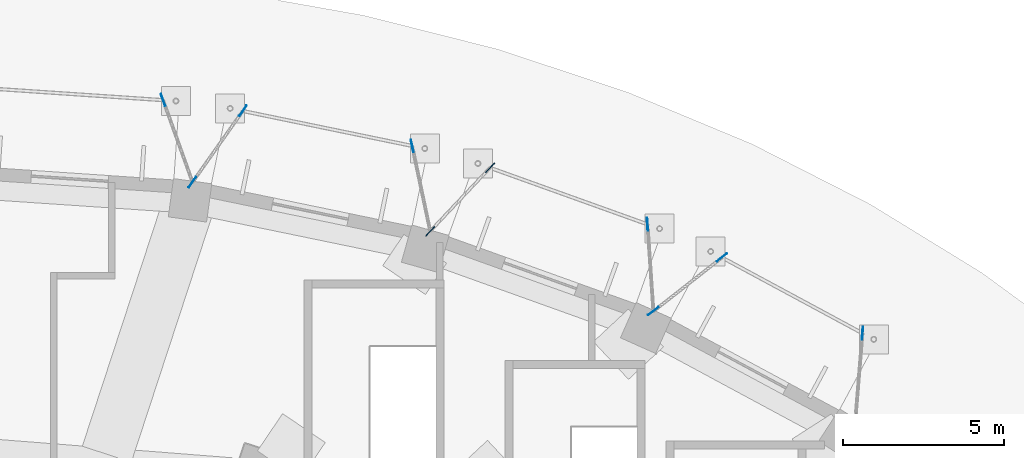
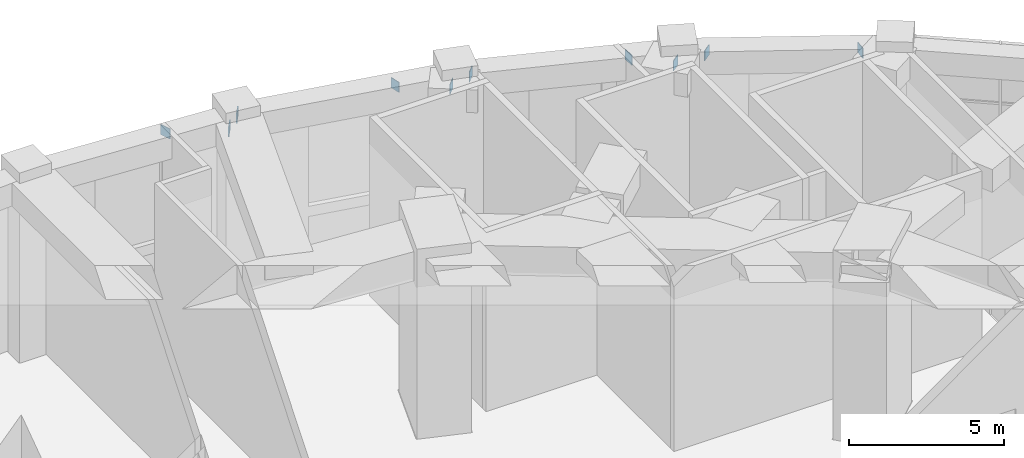
# One storey, part 50 of 60: 10 discrete accessories.
"""IFC4 building model written with IfcOpenShell, lengths in metres."""

from ifc_helpers import new_model, si_unit, direction, frame, origin, origin_2d, place, context, subcontext, project, spatial, rectangle, extrude, material, type_object, element, save


model = new_model("IFC4")

# Units and contexts
model_context = context("Model", 3, precision=1e-05, world=origin(), true_north=direction((0.0, 1.0)))
body_context = subcontext(model_context, "Body", "Model", "MODEL_VIEW")
ifc_project = project(units=[si_unit("LENGTHUNIT", "METRE"), si_unit("AREAUNIT", "SQUARE_METRE"), si_unit("VOLUMEUNIT", "CUBIC_METRE"), si_unit("PLANEANGLEUNIT", "RADIAN"), si_unit("MASSUNIT", "GRAM", prefix="KILO")], contexts=[model_context])

# Site, building, storey
site_placement = place(None, origin())
site = spatial("IfcSite", under=ifc_project, at=site_placement, CompositionType="ELEMENT")
building_placement = place(site_placement, origin())
building = spatial("IfcBuilding", under=site, at=building_placement, Name="Taillehof Tower", CompositionType="ELEMENT")
storey_placement = place(building_placement, origin())
storey = spatial("IfcBuildingStorey", under=building, at=storey_placement, Name="L00", CompositionType="ELEMENT", Elevation=0.0)

# Discrete accessories
ifc_material = material(Name="Steel S460M", Category="steel")
discrete_accessory_type = type_object("IfcDiscreteAccessoryType", Name="Steel gusset plate", PredefinedType="BRACKET", material=ifc_material)
for number, where, z_axis, x_axis, name in (
    (1, (6.699951171875, 36.010009765625, 4.43994140625), (0.0, 0.0, 1.0), (0.33761445077, -0.941284485494, 0.0), "Gusset plate 037"),
    (2, (7.610107421875, 33.4599609375, 5.800048828125), (0.0, 0.0, 1.0), (-0.576928522854, -0.816794637297, 0.0), "Gusset plate 039"),
    (3, (9.179931640625, 35.669921875, 4.43994140625), (0.0, 0.0, 1.0), (-0.576928522854, -0.816794637297, 0.0), "Gusset plate 041"),
    (4, (14.43994140625, 34.580078125, 4.43994140625), (0.0, 0.0, 1.0), (0.206887263232, -0.978364788978, 0.0), "Gusset plate 043"),
    (5, (15.0, 31.929931640625, 5.800048828125), (0.0, 0.0, 1.0), (-0.68625137069, -0.727364459006, 0.0), "Gusset plate 045"),
    (6, (16.860107421875, 33.89990234375, 4.43994140625), (0.0, 0.0, 1.0), (-0.68625137069, -0.727364459006, 0.0), "Gusset plate 047"),
    (7, (21.75, 32.14990234375, 4.43994140625), (0.0, 0.0, 1.0), (0.067477222945, -0.997720814849, 0.0), "Gusset plate 049"),
    (8, (21.929931640625, 29.449951171875, 5.800048828125), (0.0, 0.0, 1.0), (-0.78727306003, -0.616604515838, 0.0), "Gusset plate 051"),
    (9, (24.06005859375, 31.1201171875, 4.43994140625), (0.0, 0.0, 1.0), (-0.78727306003, -0.616604515838, 0.0), "Gusset plate 053"),
    (10, (28.429931640625, 28.760009765625, 4.43994140625), (0.0, 0.0, 1.0), (-0.081679326265, -0.996658661559, 0.0), "Gusset plate 057"),
):
    element("IfcDiscreteAccessory", number, at=place(storey_placement, frame(where, z_axis=z_axis, x_axis=x_axis)), inside=storey, type_object=discrete_accessory_type, Name=name, PredefinedType="BRACKET", context=body_context, shape_type="SweptSolid", body=[
        extrude(rectangle(XDim=0.39990234375, YDim=0.02490234375, at=origin_2d()), origin(), (0.0, 0.0, 1.0), 0.39990234375),
    ])

save(model, "model.ifc")
